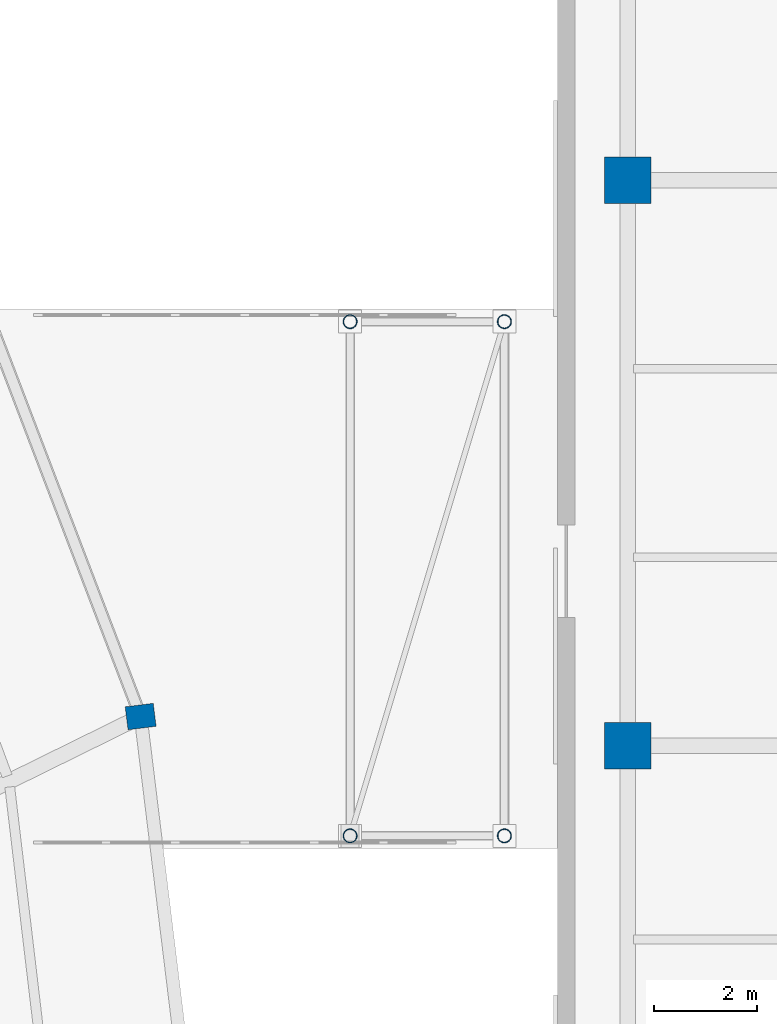
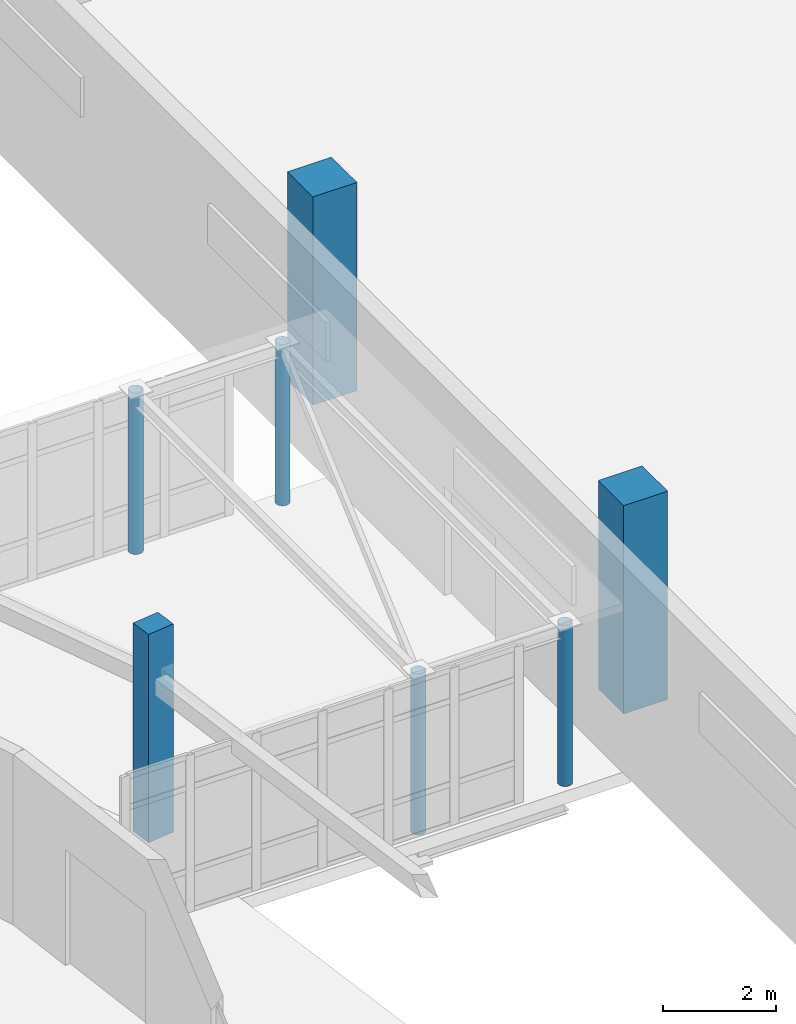
# One storey, part 24 of 122: 7 columns.
"""IFC4 building model written with IfcOpenShell, lengths in metres."""

from ifc_helpers import new_model, si_unit, direction, frame, origin, origin_2d, place, context, subcontext, project, spatial, rectangle, hollow_circle, extrude, material, material_profile, profile_set, type_object, element, save


model = new_model("IFC4")

# Units and contexts
model_context = context("Model", 3, precision=1e-05, world=origin(), true_north=direction((0.0, 1.0)))
body_context = subcontext(model_context, "Body", "Model", "MODEL_VIEW")
ifc_project = project(units=[si_unit("LENGTHUNIT", "METRE"), si_unit("AREAUNIT", "SQUARE_METRE"), si_unit("VOLUMEUNIT", "CUBIC_METRE"), si_unit("PLANEANGLEUNIT", "RADIAN"), si_unit("MASSUNIT", "GRAM", prefix="KILO")], contexts=[model_context])

# Site, building, storey
site_placement = place(None, origin())
site = spatial("IfcSite", under=ifc_project, at=site_placement, CompositionType="ELEMENT")
building_placement = place(site_placement, origin())
building = spatial("IfcBuilding", under=site, at=building_placement, Name="Sohan Crest Arena", CompositionType="ELEMENT")
storey_placement = place(building_placement, origin())
storey = spatial("IfcBuildingStorey", under=building, at=storey_placement, Name="L00", CompositionType="ELEMENT", Elevation=0.0)

# Columns
ifc_material_1 = material(Name="Concrete C40/50", Category="concrete")
ifc_material_profile_1 = material_profile(ifc_material_1, rectangle(XDim=0.89990234375, YDim=0.89990234375, at=origin_2d()), Name="RC 900x900")
ifc_profile_set_1 = profile_set([ifc_material_profile_1], Name="Concrete C40/50")
column_type_1 = type_object("IfcColumnType", Name="STR-COL-C07", PredefinedType="COLUMN", material=ifc_profile_set_1)
for number, where, z_axis, x_axis, name in (
    (1, (196.199951171875, 88.5, 0.0), (0.0, 0.0, 1.0), (1.0, 0.0, 0.0), "Structural column COL-V4G-W1-L00"),
    (2, (196.199951171875, 99.5, 0.0), (0.0, 0.0, 1.0), (1.0, 0.0, 0.0), "Structural column COL-V4G-W2-L00"),
):
    element("IfcColumn", number, at=place(storey_placement, frame(where, z_axis=z_axis, x_axis=x_axis)), inside=storey, type_object=column_type_1, Name=name, PredefinedType="COLUMN", context=body_context, shape_type="SweptSolid", body=[
        extrude(rectangle(XDim=0.89990234375, YDim=0.89990234375, at=origin_2d()), origin(), (0.0, 0.0, 1.0), 4.5),
    ])
ifc_material_2 = material(Name="Steel S355", Category="steel")
ifc_material_profile_2 = material_profile(ifc_material_2, hollow_circle(Radius=0.136474609375, WallThickness=0.012451171875, at=origin_2d()), Name="CHS 273x12.5")
ifc_profile_set_2 = profile_set([ifc_material_profile_2], Name="Steel S355")
column_type_2 = type_object("IfcColumnType", Name="STR-COL-C25", PredefinedType="COLUMN", material=ifc_profile_set_2)
for number, where, z_axis, x_axis, name in (
    (3, (190.800048828125, 86.75, 0.0), (0.0, 0.0, 1.0), (1.0, 0.0, 0.0), "Structural column COL-BC-BR-E2-1-L00"),
    (4, (193.800048828125, 86.75, 0.0), (0.0, 0.0, 1.0), (1.0, 0.0, 0.0), "Structural column COL-BC-BR-E2-2-L00"),
    (5, (190.800048828125, 96.75, 0.0), (0.0, 0.0, 1.0), (1.0, 0.0, 0.0), "Structural column COL-BC-BR-E2-3-L00"),
    (6, (193.800048828125, 96.75, 0.0), (0.0, 0.0, 1.0), (1.0, 0.0, 0.0), "Structural column COL-BC-BR-E2-4-L00"),
):
    element("IfcColumn", number, at=place(storey_placement, frame(where, z_axis=z_axis, x_axis=x_axis)), inside=storey, type_object=column_type_2, Name=name, PredefinedType="COLUMN", context=body_context, shape_type="SweptSolid", body=[
        extrude(hollow_circle(Radius=0.136474609375, WallThickness=0.012451171875, at=origin_2d()), origin(), (0.0, 0.0, 1.0), 3.47509765625),
    ])
ifc_material_profile_3 = material_profile(ifc_material_1, rectangle(XDim=0.550048828125, YDim=0.449951171875, at=origin_2d()), Name="RC 550x450")
ifc_profile_set_3 = profile_set([ifc_material_profile_3], Name="Concrete C40/50")
column_type_3 = type_object("IfcColumnType", Name="STR-COL-PC01", PredefinedType="PILASTER", material=ifc_profile_set_3)
column_placement = place(storey_placement, frame((186.72509765625, 89.070068359375, 0.0), z_axis=(0.0, 0.0, 1.0), x_axis=(0.992331937885, 0.12360147674, 0.0)))
element("IfcColumn", 7, at=column_placement, inside=storey, type_object=column_type_3, Name="Structural column COL-V2O-25-L00", PredefinedType="PILASTER", context=body_context, shape_type="SweptSolid", body=[
    extrude(rectangle(XDim=0.550048828125, YDim=0.449951171875, at=origin_2d()), origin(), (0.0, 0.0, 1.0), 4.5),
])

save(model, "model.ifc")
